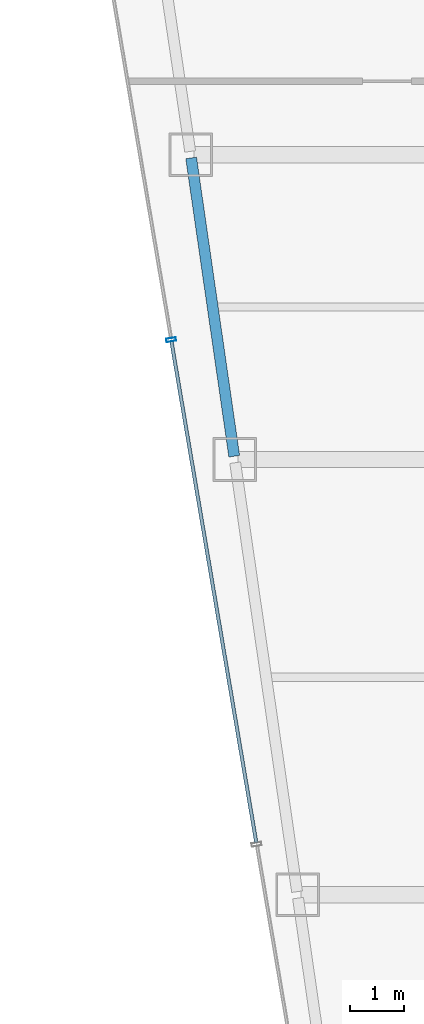
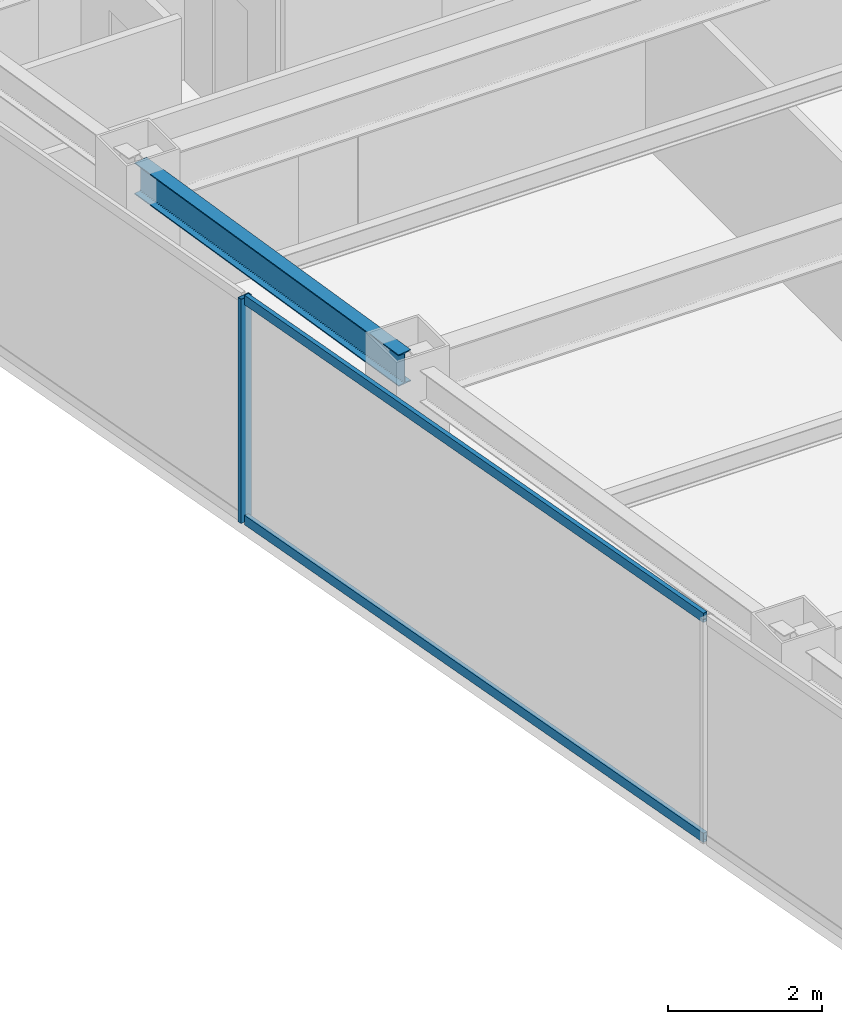
# One storey, part 9 of 35: 3 members, 1 beam, 1 element without a shape of its own.
"""IFC4 building model written with IfcOpenShell, lengths in metres."""

from ifc_helpers import new_model, si_unit, direction, frame, origin, origin_2d, place, context, subcontext, project, spatial, hollow_rectangle, i_section, extrude, material, material_profile, profile_set, type_object, element, aggregate, save


model = new_model("IFC4")

# Units and contexts
model_context = context("Model", 3, precision=1e-05, world=origin(), true_north=direction((0.0, 1.0)))
body_context = subcontext(model_context, "Body", "Model", "MODEL_VIEW")
ifc_project = project(units=[si_unit("LENGTHUNIT", "METRE"), si_unit("AREAUNIT", "SQUARE_METRE"), si_unit("VOLUMEUNIT", "CUBIC_METRE"), si_unit("PLANEANGLEUNIT", "RADIAN"), si_unit("MASSUNIT", "GRAM", prefix="KILO")], contexts=[model_context])

# Site, building, storey
site_placement = place(None, origin())
site = spatial("IfcSite", under=ifc_project, at=site_placement, CompositionType="ELEMENT")
building_placement = place(site_placement, origin())
building = spatial("IfcBuilding", under=site, at=building_placement, Name="Saevonmaru Cultural Tower", CompositionType="ELEMENT")
storey_placement = place(building_placement, frame((0.0, 0.0, 217.0)))
storey = spatial("IfcBuildingStorey", under=building, at=storey_placement, Name="L50", CompositionType="ELEMENT", Elevation=217.0)

# Beam
ifc_material_1 = material(Name="Steel SM355", Category="steel")
ifc_material_profile_1 = material_profile(ifc_material_1, i_section(OverallWidth=0.199951171875, OverallDepth=0.5, WebThickness=0.010009765625, FlangeThickness=0.01611328125, FilletRadius=0.02001953125, at=origin_2d()), Name="H-500x200x10x16")
ifc_profile_set_1 = profile_set([ifc_material_profile_1], Name="Steel SM355")
beam_type = type_object("IfcBeamType", Name="BM-SP-H500", PredefinedType="SPANDREL", material=ifc_profile_set_1)
beam_placement = place(storey_placement, frame((8.308349609375, 32.059326171875, 3.300048828125), z_axis=(-0.142964121327, 0.989727871697, 0.0), x_axis=(-0.989727871697, -0.142964121327, 0.0)))
element("IfcBeam", 1, at=beam_placement, inside=storey, type_object=beam_type, Name="L50 West Splayed Spandrel 3", PredefinedType="SPANDREL", context=body_context, shape_type="SweptSolid", body=[
    extrude(i_section(OverallWidth=0.199951171875, OverallDepth=0.5, WebThickness=0.010009765625, FlangeThickness=0.01611328125, FilletRadius=0.02001953125, at=origin_2d()), origin(), (0.0, 0.0, 1.0), 5.5380859375),
])

# Curtain wall, members
ifc_material_2 = material(Name="Satin Bronze Anodised Aluminium", Category="aluminium")
curtain_wall_type = type_object("IfcCurtainWallType", Name="CW-TYP-B", PredefinedType="NOTDEFINED", material=ifc_material_2)
curtain_wall_placement = place(storey_placement, origin())
curtain_wall = element("IfcCurtainWall", 2, at=curtain_wall_placement, inside=storey, type_object=curtain_wall_type, Name="L50 Unitised Curtain Wall E12", PredefinedType="NOTDEFINED")
ifc_material_profile_2 = material_profile(ifc_material_2, hollow_rectangle(XDim=0.06494140625, YDim=0.179931640625, WallThickness=0.00390625, at=origin_2d()), Name="ALU-MULL-180x65x4")
ifc_profile_set_2 = profile_set([ifc_material_profile_2], Name="Satin Bronze Anodised Aluminium")
member_type_1 = type_object("IfcMemberType", Name="ML-CW-180x65", PredefinedType="MULLION", material=ifc_profile_set_2)
member_1_placement = place(storey_placement, frame((7.14892578125, 34.199951171875, 0.0), z_axis=(0.0, 0.0, 1.0), x_axis=(0.16692169721, -0.985970155228, 0.0)))
member_1 = element("IfcMember", 3, at=member_1_placement, type_object=member_type_1, Name="CW-TW-L50-E12 mullion 3", PredefinedType="MULLION", context=body_context, shape_type="SweptSolid", body=[
    extrude(hollow_rectangle(XDim=0.06494140625, YDim=0.179931640625, WallThickness=0.00390625, at=origin_2d()), origin(), (0.0, 0.0, 1.0), 3.550048828125),
])
ifc_material_profile_3 = material_profile(ifc_material_2, hollow_rectangle(XDim=0.06494140625, YDim=0.14990234375, WallThickness=0.00390625, at=origin_2d()), Name="ALU-TRAN-150x65x4")
ifc_profile_set_3 = profile_set([ifc_material_profile_3], Name="Satin Bronze Anodised Aluminium")
member_type_2 = type_object("IfcMemberType", Name="TR-CW-150x65", PredefinedType="USERDEFINED", material=ifc_profile_set_3)
member_2_placement = place(storey_placement, frame((7.154296875, 34.16796875, 0.032470703125), z_axis=(0.166921263871, -0.985970228591, 0.0), x_axis=(0.985970228591, 0.166921263871, 0.0)))
member_2 = element("IfcMember", 4, at=member_2_placement, type_object=member_type_2, Name="CW-TW-L50-E12 transom 3.1", ObjectType="TRANSOM", PredefinedType="USERDEFINED", context=body_context, shape_type="SweptSolid", body=[
    extrude(hollow_rectangle(XDim=0.06494140625, YDim=0.14990234375, WallThickness=0.00390625, at=origin_2d()), origin(), (0.0, 0.0, 1.0), 9.33740234375),
])
member_3_placement = place(storey_placement, frame((7.154296875, 34.16796875, 3.517578125), z_axis=(0.166921263871, -0.985970228591, 0.0), x_axis=(0.985970228591, 0.166921263871, 0.0)))
member_3 = element("IfcMember", 5, at=member_3_placement, type_object=member_type_2, Name="CW-TW-L50-E12 transom 3.2", ObjectType="TRANSOM", PredefinedType="USERDEFINED", context=body_context, shape_type="SweptSolid", body=[
    extrude(hollow_rectangle(XDim=0.06494140625, YDim=0.14990234375, WallThickness=0.00390625, at=origin_2d()), origin(), (0.0, 0.0, 1.0), 9.33740234375),
])
aggregate(curtain_wall, [member_1, member_2, member_3])

save(model, "model.ifc")
